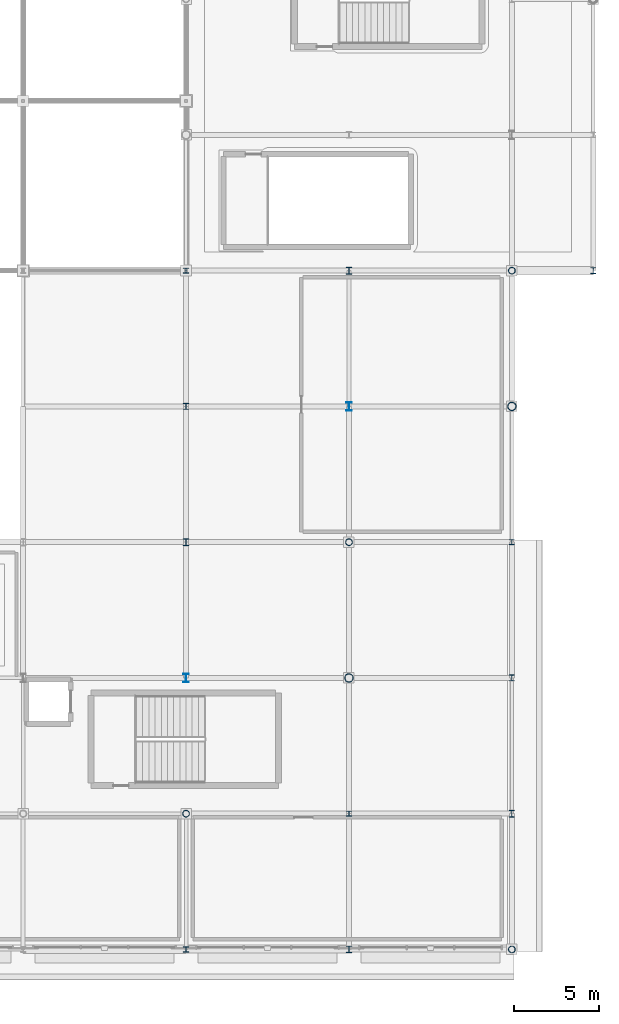
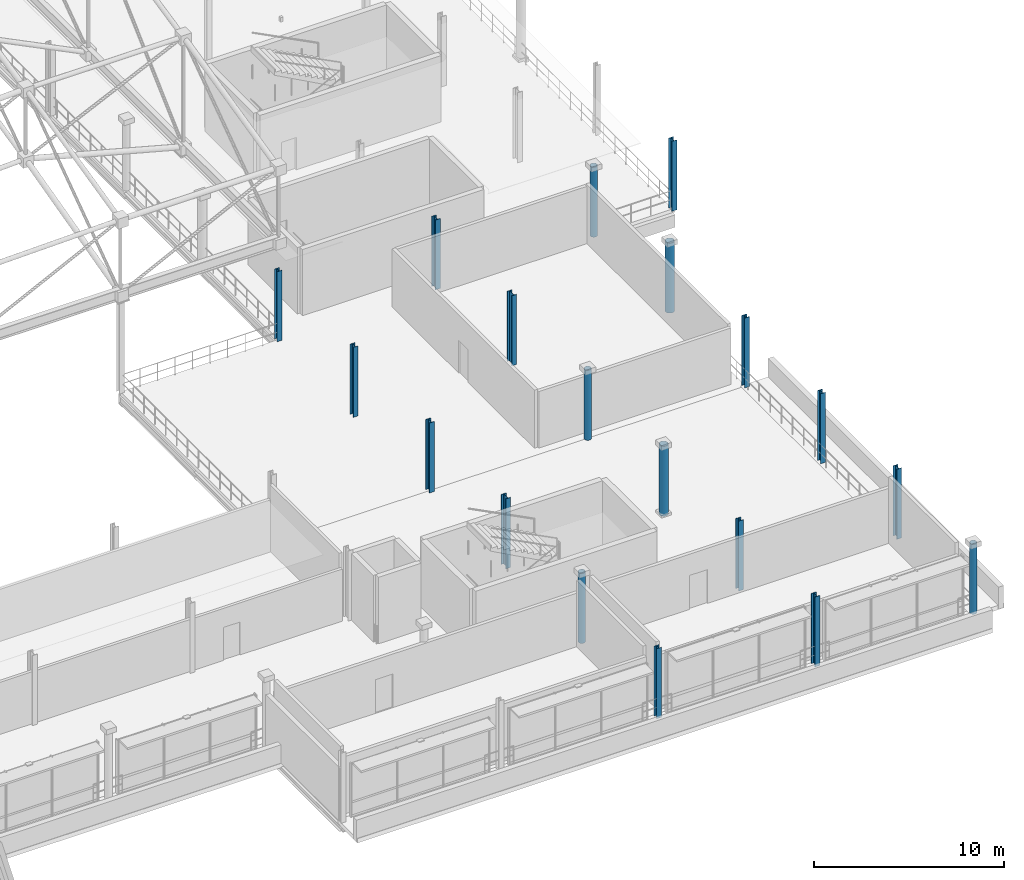
# One storey, part 13 of 193: 19 columns.
"""IFC4 building model written with IfcOpenShell, lengths in metres."""

from ifc_helpers import new_model, si_unit, direction, frame, origin, origin_2d, place, context, subcontext, project, spatial, hollow_circle, i_section, extrude, material, material_profile, profile_set, type_object, element, save


model = new_model("IFC4")

# Units and contexts
model_context = context("Model", 3, precision=1e-05, world=origin(), true_north=direction((0.0, 1.0)))
body_context = subcontext(model_context, "Body", "Model", "MODEL_VIEW")
ifc_project = project(units=[si_unit("LENGTHUNIT", "METRE"), si_unit("AREAUNIT", "SQUARE_METRE"), si_unit("VOLUMEUNIT", "CUBIC_METRE"), si_unit("PLANEANGLEUNIT", "RADIAN"), si_unit("MASSUNIT", "GRAM", prefix="KILO")], contexts=[model_context])

# Site, building, storey
site_placement = place(None, origin())
site = spatial("IfcSite", under=ifc_project, at=site_placement, CompositionType="ELEMENT")
building_placement = place(site_placement, origin())
building = spatial("IfcBuilding", under=site, at=building_placement, Name="Danafjord Basin Convention Centre", CompositionType="ELEMENT")
storey_placement = place(building_placement, frame((0.0, 0.0, 11.39990234375)))
storey = spatial("IfcBuildingStorey", under=building, at=storey_placement, Name="L02", CompositionType="ELEMENT", Elevation=11.39990234375)

# Columns
ifc_material = material(Name="Steel S355", Category="steel")
ifc_material_profile_1 = material_profile(ifc_material, hollow_circle(Radius=0.203125, WallThickness=0.02001953125, at=origin_2d()), Name="CHS 406.4x20.0")
ifc_profile_set_1 = profile_set([ifc_material_profile_1], Name="Steel S355")
column_type_1 = type_object("IfcColumnType", Name="COL-C-CHS406", PredefinedType="COLUMN", material=ifc_profile_set_1)
for number, where, z_axis, x_axis, name in (
    (1, (192.0, 8.0, 0.0), (0.0, 0.0, 1.0), (1.0, 0.0, 0.0), "L02 column C-CHS406 at (192.0, 8.0)"),
    (2, (201.60009765625, 24.0, 0.0), (0.0, 0.0, 1.0), (1.0, 0.0, 0.0), "L02 column C-CHS406 at (201.6, 24.0)"),
    (3, (211.199951171875, 0.0, 0.0), (0.0, 0.0, 1.0), (1.0, 0.0, 0.0), "L02 column C-CHS406 at (211.2, 0.0)"),
    (4, (211.199951171875, 40.0, 0.0), (0.0, 0.0, 1.0), (1.0, 0.0, 0.0), "L02 column C-CHS406 at (211.2, 40.0)"),
):
    element("IfcColumn", number, at=place(storey_placement, frame(where, z_axis=z_axis, x_axis=x_axis)), inside=storey, type_object=column_type_1, Name=name, PredefinedType="COLUMN", context=body_context, shape_type="SweptSolid", body=[
        extrude(hollow_circle(Radius=0.203125, WallThickness=0.02001953125, at=origin_2d()), origin(), (0.0, 0.0, 1.0), 4.5),
    ])
ifc_material_profile_2 = material_profile(ifc_material, hollow_circle(Radius=0.25390625, WallThickness=0.02490234375, at=origin_2d()), Name="CHS 508.0x25.0")
ifc_profile_set_2 = profile_set([ifc_material_profile_2], Name="Steel S355")
column_type_2 = type_object("IfcColumnType", Name="COL-C-CHS508", PredefinedType="COLUMN", material=ifc_profile_set_2)
for number, where, z_axis, x_axis, name in (
    (5, (201.60009765625, 16.0, 0.0), (0.0, 0.0, 1.0), (1.0, 0.0, 0.0), "L02 column C-CHS508 at (201.6, 16.0)"),
    (6, (211.199951171875, 32.0, 0.0), (0.0, 0.0, 1.0), (1.0, 0.0, 0.0), "L02 column C-CHS508 at (211.2, 32.0)"),
):
    element("IfcColumn", number, at=place(storey_placement, frame(where, z_axis=z_axis, x_axis=x_axis)), inside=storey, type_object=column_type_2, Name=name, PredefinedType="COLUMN", context=body_context, shape_type="SweptSolid", body=[
        extrude(hollow_circle(Radius=0.25390625, WallThickness=0.02490234375, at=origin_2d()), origin(), (0.0, 0.0, 1.0), 4.5),
    ])
ifc_material_profile_3 = material_profile(ifc_material, i_section(OverallWidth=0.300048828125, OverallDepth=0.300048828125, WebThickness=0.010986328125, FlangeThickness=0.01904296875, FilletRadius=0.027099609375, at=origin_2d()), Name="HEB 300")
ifc_profile_set_3 = profile_set([ifc_material_profile_3], Name="Steel S355")
column_type_3 = type_object("IfcColumnType", Name="COL-C-HEB300", PredefinedType="COLUMN", material=ifc_profile_set_3)
for number, where, z_axis, x_axis, name in (
    (7, (192.0, 0.0, 0.0), (0.0, 0.0, 1.0), (1.0, 0.0, 0.0), "L02 column C-HEB300 at (192.0, 0.0)"),
    (8, (192.0, 40.0, 0.0), (0.0, 0.0, 1.0), (1.0, 0.0, 0.0), "L02 column C-HEB300 at (192.0, 40.0)"),
    (9, (201.60009765625, 8.0, 0.0), (0.0, 0.0, 1.0), (1.0, 0.0, 0.0), "L02 column C-HEB300 at (201.6, 8.0)"),
    (10, (211.199951171875, 24.0, 0.0), (0.0, 0.0, 1.0), (1.0, 0.0, 0.0), "L02 column C-HEB300 at (211.2, 24.0)"),
):
    element("IfcColumn", number, at=place(storey_placement, frame(where, z_axis=z_axis, x_axis=x_axis)), inside=storey, type_object=column_type_3, Name=name, PredefinedType="COLUMN", context=body_context, shape_type="SweptSolid", body=[
        extrude(i_section(OverallWidth=0.300048828125, OverallDepth=0.300048828125, WebThickness=0.010986328125, FlangeThickness=0.01904296875, FilletRadius=0.027099609375, at=origin_2d()), origin(), (0.0, 0.0, 1.0), 4.5),
    ])
ifc_material_profile_4 = material_profile(ifc_material, i_section(OverallWidth=0.300048828125, OverallDepth=0.360107421875, WebThickness=0.012451171875, FlangeThickness=0.0224609375, FilletRadius=0.027099609375, at=origin_2d()), Name="HEB 360")
ifc_profile_set_4 = profile_set([ifc_material_profile_4], Name="Steel S355")
column_type_4 = type_object("IfcColumnType", Name="COL-C-HEB360", PredefinedType="COLUMN", material=ifc_profile_set_4)
for number, where, z_axis, x_axis, name in (
    (11, (192.0, 32.0, 0.0), (0.0, 0.0, 1.0), (1.0, 0.0, 0.0), "L02 column C-HEB360 at (192.0, 32.0)"),
    (12, (211.199951171875, 16.0, 0.0), (0.0, 0.0, 1.0), (1.0, 0.0, 0.0), "L02 column C-HEB360 at (211.2, 16.0)"),
    (13, (216.0, 40.0, 0.0), (0.0, 0.0, 1.0), (1.0, 0.0, 0.0), "L02 column C-HEB360 at (216.0, 40.0)"),
):
    element("IfcColumn", number, at=place(storey_placement, frame(where, z_axis=z_axis, x_axis=x_axis)), inside=storey, type_object=column_type_4, Name=name, PredefinedType="COLUMN", context=body_context, shape_type="SweptSolid", body=[
        extrude(i_section(OverallWidth=0.300048828125, OverallDepth=0.360107421875, WebThickness=0.012451171875, FlangeThickness=0.0224609375, FilletRadius=0.027099609375, at=origin_2d()), origin(), (0.0, 0.0, 1.0), 4.5),
    ])
ifc_material_profile_5 = material_profile(ifc_material, i_section(OverallWidth=0.300048828125, OverallDepth=0.39990234375, WebThickness=0.013427734375, FlangeThickness=0.02392578125, FilletRadius=0.027099609375, at=origin_2d()), Name="HEB 400")
ifc_profile_set_5 = profile_set([ifc_material_profile_5], Name="Steel S355")
column_type_5 = type_object("IfcColumnType", Name="COL-C-HEB400", PredefinedType="COLUMN", material=ifc_profile_set_5)
for number, where, z_axis, x_axis, name in (
    (14, (192.0, 24.0, 0.0), (0.0, 0.0, 1.0), (1.0, 0.0, 0.0), "L02 column C-HEB400 at (192.0, 24.0)"),
    (15, (201.60009765625, 0.0, 0.0), (0.0, 0.0, 1.0), (1.0, 0.0, 0.0), "L02 column C-HEB400 at (201.6, 0.0)"),
    (16, (201.60009765625, 40.0, 0.0), (0.0, 0.0, 1.0), (1.0, 0.0, 0.0), "L02 column C-HEB400 at (201.6, 40.0)"),
    (17, (211.199951171875, 8.0, 0.0), (0.0, 0.0, 1.0), (1.0, 0.0, 0.0), "L02 column C-HEB400 at (211.2, 8.0)"),
):
    element("IfcColumn", number, at=place(storey_placement, frame(where, z_axis=z_axis, x_axis=x_axis)), inside=storey, type_object=column_type_5, Name=name, PredefinedType="COLUMN", context=body_context, shape_type="SweptSolid", body=[
        extrude(i_section(OverallWidth=0.300048828125, OverallDepth=0.39990234375, WebThickness=0.013427734375, FlangeThickness=0.02392578125, FilletRadius=0.027099609375, at=origin_2d()), origin(), (0.0, 0.0, 1.0), 4.5),
    ])
ifc_material_profile_6 = material_profile(ifc_material, i_section(OverallWidth=0.300048828125, OverallDepth=0.5, WebThickness=0.014404296875, FlangeThickness=0.028076171875, FilletRadius=0.027099609375, at=origin_2d()), Name="HEB 500")
ifc_profile_set_6 = profile_set([ifc_material_profile_6], Name="Steel S355")
column_type_6 = type_object("IfcColumnType", Name="COL-C-HEB500", PredefinedType="COLUMN", material=ifc_profile_set_6)
for number, where, z_axis, x_axis, name in (
    (18, (192.0, 16.0, 0.0), (0.0, 0.0, 1.0), (1.0, 0.0, 0.0), "L02 column C-HEB500 at (192.0, 16.0)"),
    (19, (201.60009765625, 32.0, 0.0), (0.0, 0.0, 1.0), (1.0, 0.0, 0.0), "L02 column C-HEB500 at (201.6, 32.0)"),
):
    element("IfcColumn", number, at=place(storey_placement, frame(where, z_axis=z_axis, x_axis=x_axis)), inside=storey, type_object=column_type_6, Name=name, PredefinedType="COLUMN", context=body_context, shape_type="SweptSolid", body=[
        extrude(i_section(OverallWidth=0.300048828125, OverallDepth=0.5, WebThickness=0.014404296875, FlangeThickness=0.028076171875, FilletRadius=0.027099609375, at=origin_2d()), origin(), (0.0, 0.0, 1.0), 4.5),
    ])

save(model, "model.ifc")
